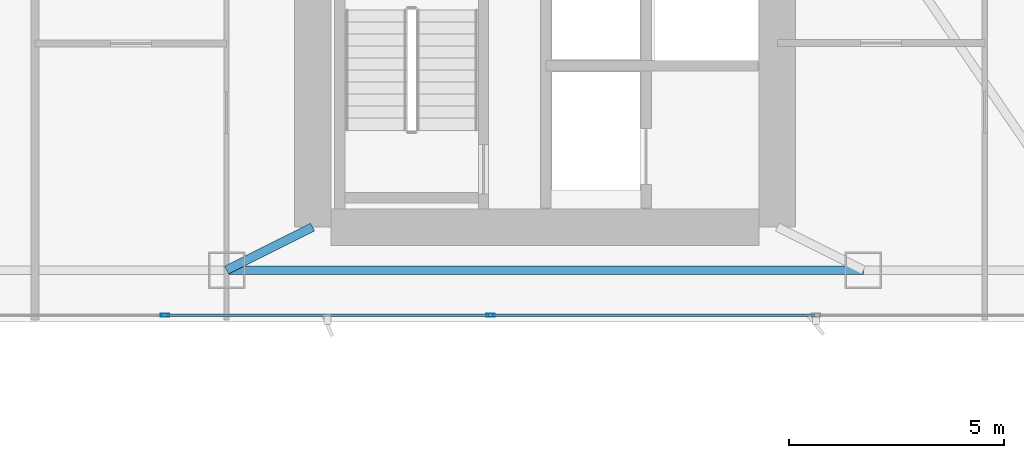
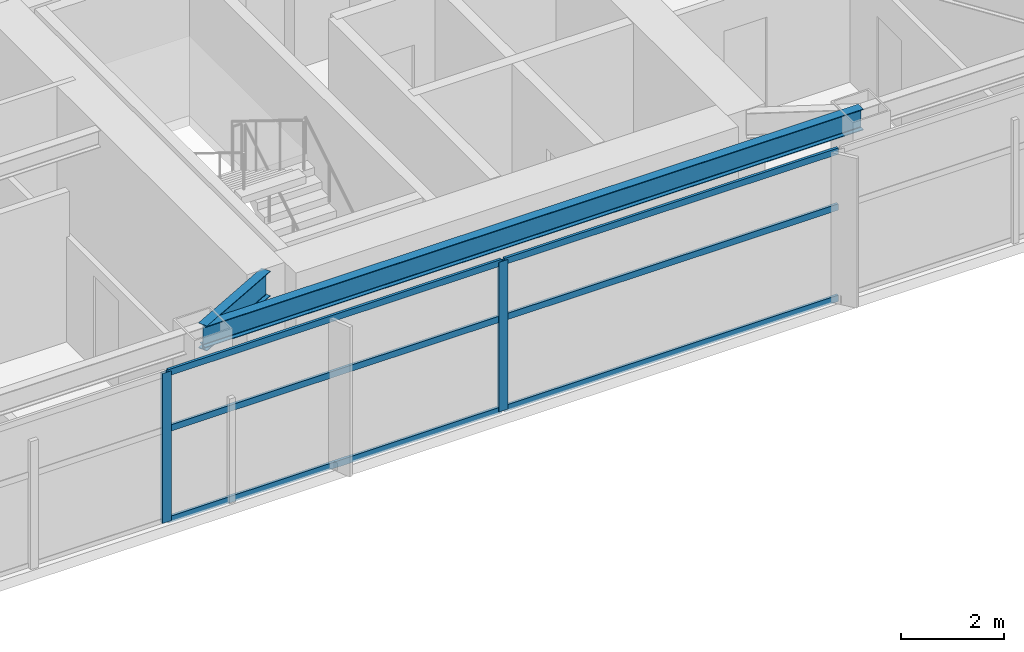
# One storey, part 6 of 28: 8 members, 2 beams, 1 element without a shape of its own.
"""IFC4 building model written with IfcOpenShell, lengths in metres."""

from ifc_helpers import new_model, si_unit, direction, frame, origin, origin_2d, place, context, subcontext, project, spatial, hollow_rectangle, i_section, extrude, material, layer, layer_set, material_profile, profile_set, type_object, element, aggregate, save


model = new_model("IFC4")

# Units and contexts
model_context = context("Model", 3, precision=1e-05, world=origin(), true_north=direction((0.0, 1.0)))
body_context = subcontext(model_context, "Body", "Model", "MODEL_VIEW")
ifc_project = project(units=[si_unit("LENGTHUNIT", "METRE"), si_unit("AREAUNIT", "SQUARE_METRE"), si_unit("VOLUMEUNIT", "CUBIC_METRE"), si_unit("PLANEANGLEUNIT", "RADIAN"), si_unit("MASSUNIT", "GRAM", prefix="KILO")], contexts=[model_context])

# Site, building, storey
site_placement = place(None, origin())
site = spatial("IfcSite", under=ifc_project, at=site_placement, CompositionType="ELEMENT")
building_placement = place(site_placement, origin())
building = spatial("IfcBuilding", under=site, at=building_placement, Name="Calvorn Quay Hotel", CompositionType="ELEMENT")
storey_placement = place(building_placement, frame((0.0, 0.0, 159.89990234375)))
storey = spatial("IfcBuildingStorey", under=building, at=storey_placement, Name="L39", CompositionType="ELEMENT", Elevation=159.89990234375)

# Beams
ifc_material_1 = material(Name="Steel Q355B", Category="steel")
ifc_material_profile_1 = material_profile(ifc_material_1, i_section(OverallWidth=0.199951171875, OverallDepth=0.60009765625, WebThickness=0.010986328125, FlangeThickness=0.01708984375, FilletRadius=0.01806640625, at=origin_2d()), Name="HN600x200x11x17")
ifc_profile_set_1 = profile_set([ifc_material_profile_1], Name="Steel Q355B")
beam_type_1 = type_object("IfcBeamType", Name="BM-GIRD-TYP", PredefinedType="BEAM", material=ifc_profile_set_1)
beam_1_placement = place(storey_placement, frame((19.60009765625, 3.60009765625, 3.239990234375), z_axis=(0.894427191, 0.4472135955, 0.0), x_axis=(-0.4472135955, 0.894427191, 0.0)))
element("IfcBeam", 1, at=beam_1_placement, inside=storey, type_object=beam_type_1, Name="Beam BG-L39-S2", PredefinedType="BEAM", context=body_context, shape_type="SweptSolid", body=[
    extrude(i_section(OverallWidth=0.199951171875, OverallDepth=0.60009765625, WebThickness=0.010986328125, FlangeThickness=0.01708984375, FilletRadius=0.01806640625, at=origin_2d()), origin(), (0.0, 0.0, 1.0), 2.236083984375),
])
ifc_material_2 = material(Name="Steel Q355B", Category="steel")
ifc_material_profile_2 = material_profile(ifc_material_2, i_section(OverallWidth=0.199951171875, OverallDepth=0.5, WebThickness=0.010009765625, FlangeThickness=0.01611328125, FilletRadius=0.01611328125, at=origin_2d()), Name="HN500x200x10x16")
ifc_profile_set_2 = profile_set([ifc_material_profile_2], Name="Steel Q355B")
beam_type_2 = type_object("IfcBeamType", Name="BM-SPANDREL-Z1", PredefinedType="SPANDREL", material=ifc_profile_set_2)
beam_2_placement = place(storey_placement, frame((19.60009765625, 3.60009765625, 3.2900390625), z_axis=(1.0, 0.0, 0.0), x_axis=(0.0, 1.0, 0.0)))
element("IfcBeam", 2, at=beam_2_placement, inside=storey, type_object=beam_type_2, Name="Beam BSP-L39-S3", PredefinedType="SPANDREL", context=body_context, shape_type="SweptSolid", body=[
    extrude(i_section(OverallWidth=0.199951171875, OverallDepth=0.5, WebThickness=0.010009765625, FlangeThickness=0.01611328125, FilletRadius=0.01611328125, at=origin_2d()), origin(), (0.0, 0.0, 1.0), 14.7998046875),
])

# Curtain wall, members
ifc_material_3 = material(Name="Pale Anodised Aluminium and Low-E Glass", Category="aluminium")
ifc_layer = layer(ifc_material_3, 0.219970703125)
ifc_layer_set = layer_set([ifc_layer], Name="CW-SYS-Z2")
curtain_wall_type = type_object("IfcCurtainWallType", Name="CW-SYS-Z2", PredefinedType="NOTDEFINED", material=ifc_layer_set)
curtain_wall_placement = place(storey_placement, origin())
curtain_wall = element("IfcCurtainWall", 3, at=curtain_wall_placement, inside=storey, type_object=curtain_wall_type, Name="Tower South Waterfront Curtain Wall (L39)", PredefinedType="NOTDEFINED")
ifc_material_4 = material(Name="Pale Anodised Aluminium 6063-T6", Category="aluminium")
ifc_material_profile_3 = material_profile(ifc_material_4, hollow_rectangle(XDim=0.070068359375, YDim=0.199951171875, WallThickness=0.00390625, at=origin_2d()), Name="ALU-M200x70x4")
ifc_profile_set_3 = profile_set([ifc_material_profile_3], Name="Pale Anodised Aluminium 6063-T6")
member_type_1 = type_object("IfcMemberType", Name="CW-SYS-Z2-MUL", PredefinedType="MULLION", material=ifc_profile_set_3)
member_1_placement = place(storey_placement, frame((18.166748046875, 2.550048828125, 0.0), z_axis=(0.0, 0.0, 1.0), x_axis=(0.0, 1.0, 0.0)))
member_1 = element("IfcMember", 4, at=member_1_placement, type_object=member_type_1, Name="CW-L39-S mullion 2", PredefinedType="MULLION", context=body_context, shape_type="SweptSolid", body=[
    extrude(hollow_rectangle(XDim=0.070068359375, YDim=0.199951171875, WallThickness=0.00390625, at=origin_2d()), origin(), (0.0, 0.0, 1.0), 3.56005859375),
])
member_2_placement = place(storey_placement, frame((25.7333984375, 2.550048828125, 0.0), z_axis=(0.0, 0.0, 1.0), x_axis=(0.0, 1.0, 0.0)))
member_2 = element("IfcMember", 5, at=member_2_placement, type_object=member_type_1, Name="CW-L39-S mullion 3", PredefinedType="MULLION", context=body_context, shape_type="SweptSolid", body=[
    extrude(hollow_rectangle(XDim=0.070068359375, YDim=0.199951171875, WallThickness=0.00390625, at=origin_2d()), origin(), (0.0, 0.0, 1.0), 3.56005859375),
])
ifc_material_5 = material(Name="Pale Anodised Aluminium 6063-T6", Category="aluminium")
ifc_material_profile_4 = material_profile(ifc_material_5, hollow_rectangle(XDim=0.06005859375, YDim=0.14990234375, WallThickness=0.00341796875, at=origin_2d()), Name="ALU-T150x60x3.5")
ifc_profile_set_4 = profile_set([ifc_material_profile_4], Name="Pale Anodised Aluminium 6063-T6")
member_type_2 = type_object("IfcMemberType", Name="CW-SYS-Z2-TRN", PredefinedType="USERDEFINED", material=ifc_profile_set_4)
member_3_placement = place(storey_placement, frame((18.19677734375, 2.550048828125, 0.030029296875), z_axis=(1.0, 0.0, 0.0), x_axis=(0.0, 1.0, 0.0)))
member_3 = element("IfcMember", 6, at=member_3_placement, type_object=member_type_2, Name="CW-L39-S transom 2.1", ObjectType="TRANSOM", PredefinedType="USERDEFINED", context=body_context, shape_type="SweptSolid", body=[
    extrude(hollow_rectangle(XDim=0.06005859375, YDim=0.14990234375, WallThickness=0.00341796875, at=origin_2d()), origin(), (0.0, 0.0, 1.0), 7.506591796875),
])
member_4_placement = place(storey_placement, frame((18.19677734375, 2.550048828125, 2.2001953125), z_axis=(1.0, 0.0, 0.0), x_axis=(0.0, 1.0, 0.0)))
member_4 = element("IfcMember", 7, at=member_4_placement, type_object=member_type_2, Name="CW-L39-S transom 2.2", ObjectType="TRANSOM", PredefinedType="USERDEFINED", context=body_context, shape_type="SweptSolid", body=[
    extrude(hollow_rectangle(XDim=0.06005859375, YDim=0.14990234375, WallThickness=0.00341796875, at=origin_2d()), origin(), (0.0, 0.0, 1.0), 7.506591796875),
])
member_5_placement = place(storey_placement, frame((18.19677734375, 2.550048828125, 3.530029296875), z_axis=(1.0, 0.0, 0.0), x_axis=(0.0, 1.0, 0.0)))
member_5 = element("IfcMember", 8, at=member_5_placement, type_object=member_type_2, Name="CW-L39-S transom 2.3", ObjectType="TRANSOM", PredefinedType="USERDEFINED", context=body_context, shape_type="SweptSolid", body=[
    extrude(hollow_rectangle(XDim=0.06005859375, YDim=0.14990234375, WallThickness=0.00341796875, at=origin_2d()), origin(), (0.0, 0.0, 1.0), 7.506591796875),
])
member_6_placement = place(storey_placement, frame((25.763427734375, 2.550048828125, 0.030029296875), z_axis=(1.0, 0.0, 0.0), x_axis=(0.0, 1.0, 0.0)))
member_6 = element("IfcMember", 9, at=member_6_placement, type_object=member_type_2, Name="CW-L39-S transom 3.1", ObjectType="TRANSOM", PredefinedType="USERDEFINED", context=body_context, shape_type="SweptSolid", body=[
    extrude(hollow_rectangle(XDim=0.06005859375, YDim=0.14990234375, WallThickness=0.00341796875, at=origin_2d()), origin(), (0.0, 0.0, 1.0), 7.506591796875),
])
member_7_placement = place(storey_placement, frame((25.763427734375, 2.550048828125, 2.2001953125), z_axis=(1.0, 0.0, 0.0), x_axis=(0.0, 1.0, 0.0)))
member_7 = element("IfcMember", 10, at=member_7_placement, type_object=member_type_2, Name="CW-L39-S transom 3.2", ObjectType="TRANSOM", PredefinedType="USERDEFINED", context=body_context, shape_type="SweptSolid", body=[
    extrude(hollow_rectangle(XDim=0.06005859375, YDim=0.14990234375, WallThickness=0.00341796875, at=origin_2d()), origin(), (0.0, 0.0, 1.0), 7.506591796875),
])
member_8_placement = place(storey_placement, frame((25.763427734375, 2.550048828125, 3.530029296875), z_axis=(1.0, 0.0, 0.0), x_axis=(0.0, 1.0, 0.0)))
member_8 = element("IfcMember", 11, at=member_8_placement, type_object=member_type_2, Name="CW-L39-S transom 3.3", ObjectType="TRANSOM", PredefinedType="USERDEFINED", context=body_context, shape_type="SweptSolid", body=[
    extrude(hollow_rectangle(XDim=0.06005859375, YDim=0.14990234375, WallThickness=0.00341796875, at=origin_2d()), origin(), (0.0, 0.0, 1.0), 7.506591796875),
])
aggregate(curtain_wall, [member_1, member_2, member_3, member_4, member_5, member_6, member_7, member_8])

save(model, "model.ifc")
